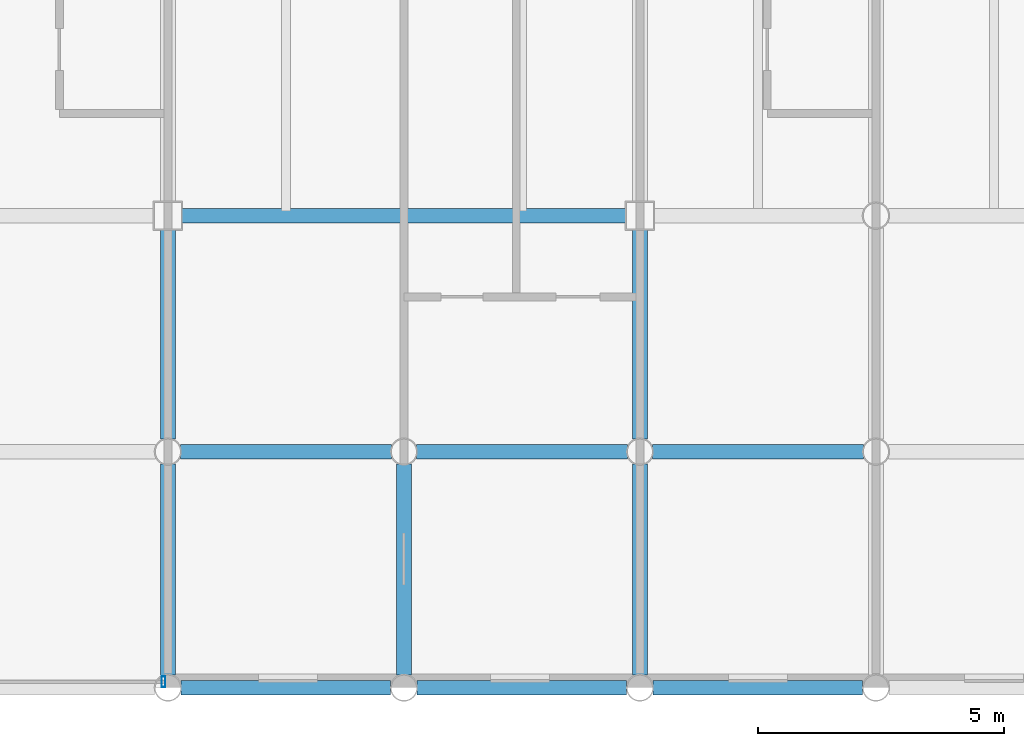
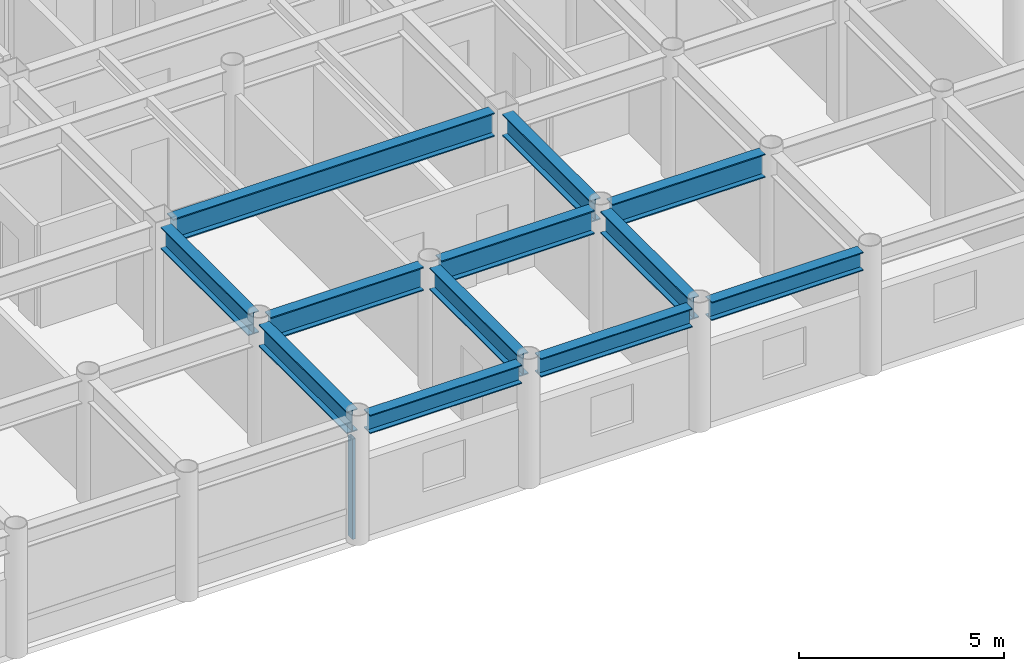
# One storey, part 8 of 21: 12 beams, 1 member, 1 element without a shape of its own.
"""IFC4 building model written with IfcOpenShell, lengths in metres."""

from ifc_helpers import new_model, si_unit, direction, frame, origin, origin_2d, place, context, subcontext, project, spatial, hollow_rectangle, i_section, extrude, material, layer, layer_set, material_profile, profile_set, type_object, element, aggregate, save


model = new_model("IFC4")

# Units and contexts
model_context = context("Model", 3, precision=1e-05, world=origin(), true_north=direction((0.0, 1.0)))
body_context = subcontext(model_context, "Body", "Model", "MODEL_VIEW")
ifc_project = project(units=[si_unit("LENGTHUNIT", "METRE"), si_unit("AREAUNIT", "SQUARE_METRE"), si_unit("VOLUMEUNIT", "CUBIC_METRE"), si_unit("PLANEANGLEUNIT", "RADIAN"), si_unit("MASSUNIT", "GRAM", prefix="KILO")], contexts=[model_context])

# Site, building, storey
site_placement = place(None, origin())
site = spatial("IfcSite", under=ifc_project, at=site_placement, CompositionType="ELEMENT")
building_placement = place(site_placement, origin())
building = spatial("IfcBuilding", under=site, at=building_placement, Name="Kallvorn Hotel Tower", CompositionType="ELEMENT")
storey_placement = place(building_placement, frame((0.0, 0.0, 210.75)))
storey = spatial("IfcBuildingStorey", under=building, at=storey_placement, Name="L52", CompositionType="ELEMENT", Elevation=210.75)

# Beams
ifc_material_1 = material(Name="Structural steel S355JR", Category="steel")
ifc_material_profile_1 = material_profile(ifc_material_1, i_section(OverallWidth=0.300048828125, OverallDepth=0.550048828125, WebThickness=0.014892578125, FlangeThickness=0.029052734375, at=origin_2d()), Name="HE 550 B")
ifc_profile_set_1 = profile_set([ifc_material_profile_1], Name="Structural steel S355JR")
beam_type_1 = type_object("IfcBeamType", Name="BM_HE550B", PredefinedType="SPANDREL", material=ifc_profile_set_1)
beam_1_placement = place(storey_placement, frame((5.069580078125, -24.0, 3.39501953125), z_axis=(1.0, 0.0, 0.0), x_axis=(0.0, 1.0, 0.0)))
element("IfcBeam", 1, at=beam_1_placement, inside=storey, type_object=beam_type_1, Name="L53 Perimeter Spandrel 157", PredefinedType="SPANDREL", context=body_context, shape_type="SweptSolid", body=[
    extrude(i_section(OverallWidth=0.300048828125, OverallDepth=0.550048828125, WebThickness=0.014892578125, FlangeThickness=0.029052734375, at=origin_2d()), origin(), (0.0, 0.0, 1.0), 4.260986328125),
])
beam_2_placement = place(storey_placement, frame((9.869384765625, -24.0, 3.39501953125), z_axis=(1.0, 0.0, 0.0), x_axis=(0.0, 1.0, 0.0)))
element("IfcBeam", 2, at=beam_2_placement, inside=storey, type_object=beam_type_1, Name="L53 Perimeter Spandrel 158", PredefinedType="SPANDREL", context=body_context, shape_type="SweptSolid", body=[
    extrude(i_section(OverallWidth=0.300048828125, OverallDepth=0.550048828125, WebThickness=0.014892578125, FlangeThickness=0.029052734375, at=origin_2d()), origin(), (0.0, 0.0, 1.0), 4.26123046875),
])
beam_3_placement = place(storey_placement, frame((14.66943359375, -24.0, 3.39501953125), z_axis=(1.0, 0.0, 0.0), x_axis=(0.0, 1.0, 0.0)))
element("IfcBeam", 3, at=beam_3_placement, inside=storey, type_object=beam_type_1, Name="L53 Perimeter Spandrel 159", PredefinedType="SPANDREL", context=body_context, shape_type="SweptSolid", body=[
    extrude(i_section(OverallWidth=0.300048828125, OverallDepth=0.550048828125, WebThickness=0.014892578125, FlangeThickness=0.029052734375, at=origin_2d()), origin(), (0.0, 0.0, 1.0), 4.260986328125),
])
ifc_material_2 = material(Name="Structural steel S355JR", Category="steel")
ifc_material_profile_2 = material_profile(ifc_material_2, i_section(OverallWidth=0.300048828125, OverallDepth=0.64990234375, WebThickness=0.01611328125, FlangeThickness=0.031005859375, at=origin_2d()), Name="HE 650 B")
ifc_profile_set_2 = profile_set([ifc_material_profile_2], Name="Structural steel S355JR")
beam_type_2 = type_object("IfcBeamType", Name="BM_HE650B", PredefinedType="BEAM", material=ifc_profile_set_2)
beam_4_placement = place(storey_placement, frame((4.800048828125, -23.74560546875, 3.344970703125), z_axis=(0.0, 1.0, 0.0), x_axis=(-1.0, 0.0, 0.0)))
element("IfcBeam", 4, at=beam_4_placement, inside=storey, type_object=beam_type_2, Name="L53 Primary Y-Girder 113", PredefinedType="BEAM", context=body_context, shape_type="SweptSolid", body=[
    extrude(i_section(OverallWidth=0.300048828125, OverallDepth=0.64990234375, WebThickness=0.01611328125, FlangeThickness=0.031005859375, at=origin_2d()), origin(), (0.0, 0.0, 1.0), 4.291015625),
])
beam_5_placement = place(storey_placement, frame((4.800048828125, -18.945556640625, 3.344970703125), z_axis=(0.0, 1.0, 0.0), x_axis=(-1.0, 0.0, 0.0)))
element("IfcBeam", 5, at=beam_5_placement, inside=storey, type_object=beam_type_2, Name="L53 Primary Y-Girder 114", PredefinedType="BEAM", context=body_context, shape_type="SweptSolid", body=[
    extrude(i_section(OverallWidth=0.300048828125, OverallDepth=0.64990234375, WebThickness=0.01611328125, FlangeThickness=0.031005859375, at=origin_2d()), origin(), (0.0, 0.0, 1.0), 4.2705078125),
])
for number, where, z_axis, x_axis, name in (
    (6, (9.60009765625, -23.74560546875, 3.344970703125), (0.0, 1.0, 0.0), (-1.0, 0.0, 0.0), "L53 Primary Y-Girder 118"),
    (7, (14.39990234375, -23.74560546875, 3.344970703125), (0.0, 1.0, 0.0), (-1.0, 0.0, 0.0), "L53 Primary Y-Girder 121"),
):
    element("IfcBeam", number, at=place(storey_placement, frame(where, z_axis=z_axis, x_axis=x_axis)), inside=storey, type_object=beam_type_2, Name=name, PredefinedType="BEAM", context=body_context, shape_type="SweptSolid", body=[
        extrude(i_section(OverallWidth=0.300048828125, OverallDepth=0.64990234375, WebThickness=0.01611328125, FlangeThickness=0.031005859375, at=origin_2d()), origin(), (0.0, 0.0, 1.0), 4.291015625),
    ])
beam_6_placement = place(storey_placement, frame((14.39990234375, -18.945556640625, 3.344970703125), z_axis=(0.0, 1.0, 0.0), x_axis=(-1.0, 0.0, 0.0)))
element("IfcBeam", 8, at=beam_6_placement, inside=storey, type_object=beam_type_2, Name="L53 Primary Y-Girder 122", PredefinedType="BEAM", context=body_context, shape_type="SweptSolid", body=[
    extrude(i_section(OverallWidth=0.300048828125, OverallDepth=0.64990234375, WebThickness=0.01611328125, FlangeThickness=0.031005859375, at=origin_2d()), origin(), (0.0, 0.0, 1.0), 4.2705078125),
])
ifc_material_3 = material(Name="Structural steel S355JR", Category="steel")
ifc_material_profile_3 = material_profile(ifc_material_3, i_section(OverallWidth=0.300048828125, OverallDepth=0.699951171875, WebThickness=0.01708984375, FlangeThickness=0.031982421875, at=origin_2d()), Name="HE 700 B")
ifc_profile_set_3 = profile_set([ifc_material_profile_3], Name="Structural steel S355JR")
beam_type_3 = type_object("IfcBeamType", Name="BM_HE700B", PredefinedType="BEAM", material=ifc_profile_set_3)
for number, where, z_axis, x_axis, name in (
    (9, (5.054443359375, -19.199951171875, 3.320068359375), (1.0, 0.0, 0.0), (0.0, 1.0, 0.0), "L53 Primary X-Girder 08"),
    (10, (9.8544921875, -19.199951171875, 3.320068359375), (1.0, 0.0, 0.0), (0.0, 1.0, 0.0), "L53 Primary X-Girder 09"),
    (11, (14.654541015625, -19.199951171875, 3.320068359375), (1.0, 0.0, 0.0), (0.0, 1.0, 0.0), "L53 Primary X-Girder 10"),
):
    element("IfcBeam", number, at=place(storey_placement, frame(where, z_axis=z_axis, x_axis=x_axis)), inside=storey, type_object=beam_type_3, Name=name, PredefinedType="BEAM", context=body_context, shape_type="SweptSolid", body=[
        extrude(i_section(OverallWidth=0.300048828125, OverallDepth=0.699951171875, WebThickness=0.01708984375, FlangeThickness=0.031982421875, at=origin_2d()), origin(), (0.0, 0.0, 1.0), 4.291015625),
    ])
beam_7_placement = place(storey_placement, frame((5.074951171875, -14.39990234375, 3.320068359375), z_axis=(1.0, 0.0, 0.0), x_axis=(0.0, 1.0, 0.0)))
element("IfcBeam", 12, at=beam_7_placement, inside=storey, type_object=beam_type_3, Name="L53 Primary X-Girder 19", PredefinedType="BEAM", context=body_context, shape_type="SweptSolid", body=[
    extrude(i_section(OverallWidth=0.300048828125, OverallDepth=0.699951171875, WebThickness=0.01708984375, FlangeThickness=0.031982421875, at=origin_2d()), origin(), (0.0, 0.0, 1.0), 9.050048828125),
])

# Curtain wall, member
ifc_material_4 = material(Name="Thermally broken black-anodised aluminium AA 6063-T6", Category="aluminium")
ifc_layer = layer(ifc_material_4, 0.22998046875)
ifc_layer_set = layer_set([ifc_layer], Name="CW_SYS_5_HOTEL_HIGH")
curtain_wall_type = type_object("IfcCurtainWallType", Name="CW_SYS_5_HOTEL_HIGH", PredefinedType="USERDEFINED", material=ifc_layer_set)
curtain_wall_placement = place(storey_placement, origin())
curtain_wall = element("IfcCurtainWall", 13, at=curtain_wall_placement, inside=storey, type_object=curtain_wall_type, Name="L52 Dark-Glass Curtain Wall CW-L52-SC", ObjectType="UNITISED CURTAIN WALL", PredefinedType="USERDEFINED")
ifc_material_5 = material(Name="Thermally broken black-anodised aluminium AA 6063-T6", Category="aluminium")
ifc_material_profile_4 = material_profile(ifc_material_5, hollow_rectangle(XDim=0.080078125, YDim=0.219970703125, WallThickness=0.0048828125, at=origin_2d()), Name="MUL 220x80")
ifc_profile_set_4 = profile_set([ifc_material_profile_4], Name="Thermally broken black-anodised aluminium AA 6063-T6")
member_type = type_object("IfcMemberType", Name="CW_MULLION_220x80", PredefinedType="MULLION", material=ifc_profile_set_4)
member_placement = place(storey_placement, frame((4.7099609375, -23.8798828125, 0.02001953125), z_axis=(0.0, 0.0, 1.0), x_axis=(1.0, 0.0, 0.0)))
member = element("IfcMember", 14, at=member_placement, type_object=member_type, Name="CW-L52-SC Mullion 02", PredefinedType="MULLION", context=body_context, shape_type="SweptSolid", body=[
    extrude(hollow_rectangle(XDim=0.080078125, YDim=0.219970703125, WallThickness=0.0048828125, at=origin_2d()), origin(), (0.0, 0.0, 1.0), 2.97998046875),
])
aggregate(curtain_wall, [member])

save(model, "model.ifc")
